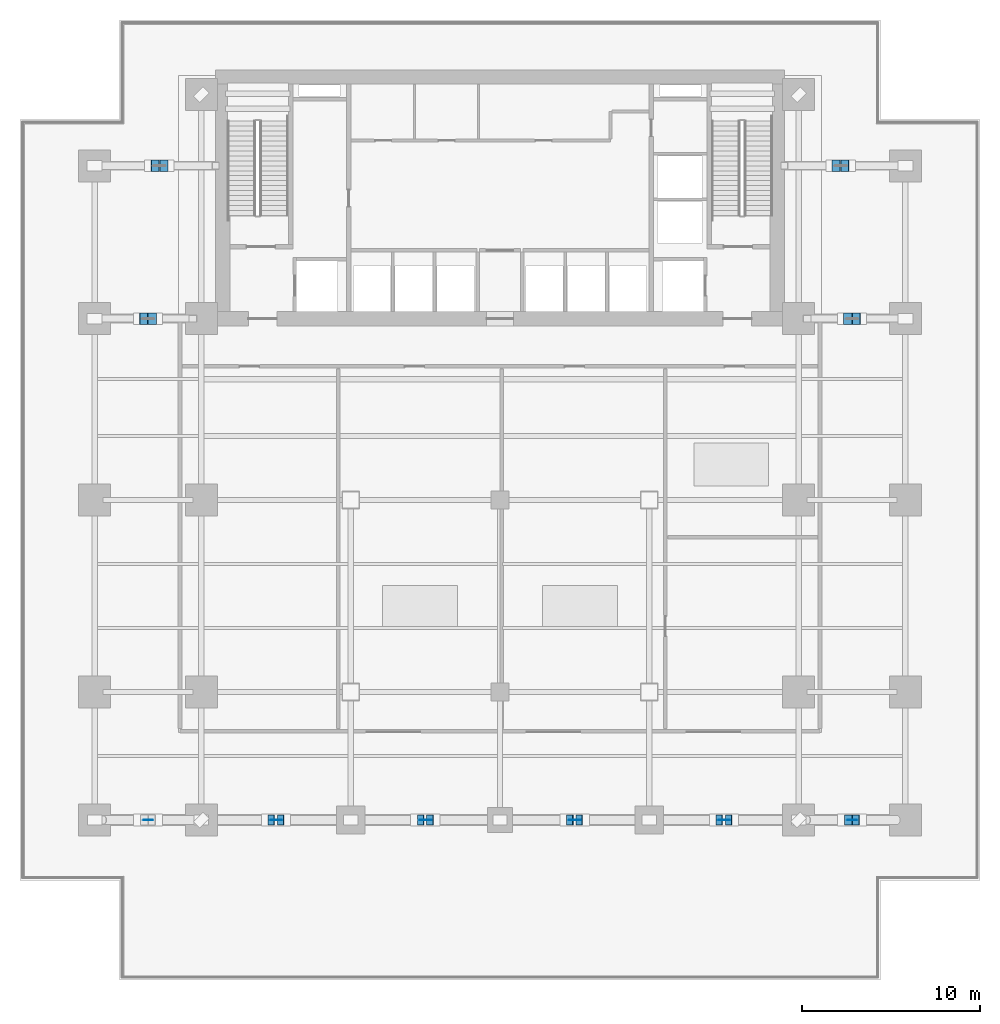
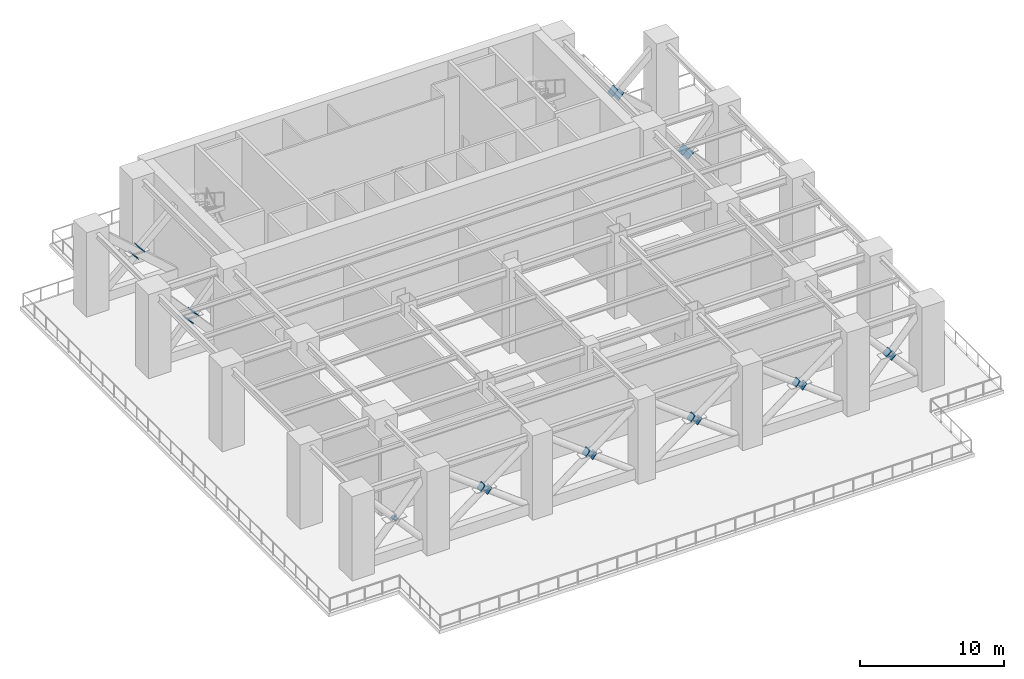
# One storey, part 5 of 10: 24 discrete accessories.
"""IFC4 building model written with IfcOpenShell, lengths in metres."""

from ifc_helpers import new_model, si_unit, direction, frame, origin, origin_2d, place, context, subcontext, project, spatial, rectangle, extrude, source, transform, mapped, material, layer, layer_set, type_object, element, save


model = new_model("IFC4")

# Units and contexts
model_context = context("Model", 3, precision=1e-05, world=origin(), true_north=direction((0.0, 1.0)))
body_context = subcontext(model_context, "Body", "Model", "MODEL_VIEW")
ifc_project = project(units=[si_unit("LENGTHUNIT", "METRE"), si_unit("AREAUNIT", "SQUARE_METRE"), si_unit("VOLUMEUNIT", "CUBIC_METRE"), si_unit("PLANEANGLEUNIT", "RADIAN"), si_unit("MASSUNIT", "GRAM", prefix="KILO")], contexts=[model_context])

# Site, building, storey
site_placement = place(None, origin())
site = spatial("IfcSite", under=ifc_project, at=site_placement, CompositionType="ELEMENT")
building_placement = place(site_placement, origin())
building = spatial("IfcBuilding", under=site, at=building_placement, Name="Sumidabori Civic Tower", CompositionType="ELEMENT")
storey_placement = place(building_placement, frame((0.0, 0.0, 70.39990234375)))
storey = spatial("IfcBuildingStorey", under=building, at=storey_placement, Name="L18", CompositionType="ELEMENT", Elevation=70.39990234375)

# Discrete accessories
ifc_material = material(Name="Steel SN490", Category="steel")
ifc_layer_1 = layer(ifc_material, 0.028076171875, Name="Steel SN490")
ifc_layer_set_1 = layer_set([ifc_layer_1], Name="Steel SN490")
discrete_accessory_type_1 = type_object("IfcDiscreteAccessoryType", Name="AC-CAP-SN490", PredefinedType="USERDEFINED", material=ifc_layer_set_1)
shared_shape_1 = source(origin(), body_context, "Body", "SweptSolid", [
    extrude(rectangle(XDim=0.568115234375, YDim=0.568115234375, at=origin_2d()), origin(), (0.0, 0.0, 1.0), 0.0400390625),
])
for number, where, z_axis, x_axis, name in (
    (1, (-12.8828125, -18.0, 3.73974609375), (0.797802225535, 0.0, -0.602919239145), (0.0, 1.0, 0.0), "Hollow Section End Cap Plate XND-BT-2 Lower"),
    (2, (-4.482666015625, -18.0, 3.73974609375), (0.797802225535, 0.0, -0.602919239145), (0.0, 1.0, 0.0), "Hollow Section End Cap Plate XND-BT-3 Lower"),
    (3, (-3.917236328125, -18.0, 3.310546875), (-0.797802225535, 0.0, 0.602919239145), (0.0, -1.0, 0.0), "Hollow Section End Cap Plate XND-BT-3 Upper"),
    (4, (3.917236328125, -18.0, 3.73974609375), (0.797802225535, 0.0, -0.602919239145), (0.0, 1.0, 0.0), "Hollow Section End Cap Plate XND-BT-4 Lower"),
    (5, (4.482666015625, -18.0, 3.310546875), (-0.797802225535, 0.0, 0.602919239145), (0.0, -1.0, 0.0), "Hollow Section End Cap Plate XND-BT-4 Upper"),
    (6, (12.8828125, -18.0, 3.310546875), (-0.797802225535, 0.0, 0.602919239145), (0.0, -1.0, 0.0), "Hollow Section End Cap Plate XND-BT-5 Upper"),
    (7, (19.59716796875, -18.0, 3.752685546875), (0.663230066188, 0.0, -0.748415579277), (0.0, 1.0, 0.0), "Hollow Section End Cap Plate XND-BT-6 Lower"),
    (8, (20.0029296875, -18.0, 3.297607421875), (-0.666258670845, 0.0, 0.745720714157), (0.0, -1.0, 0.0), "Hollow Section End Cap Plate XND-BT-6 Upper"),
):
    element("IfcDiscreteAccessory", number, at=place(storey_placement, frame(where, z_axis=z_axis, x_axis=x_axis)), inside=storey, type_object=discrete_accessory_type_1, Name=name, ObjectType="End Cap Plate", PredefinedType="USERDEFINED", context=body_context, shape_type="MappedRepresentation", body=[
        mapped(shared_shape_1, transform((0.0, 0.0, 0.0), x_axis=(1.0, 0.0, 0.0), y_axis=(0.0, 1.0, 0.0), z_axis=(0.0, 0.0, 1.0), scale=1.0)),
    ])
ifc_layer_2 = layer(ifc_material, 0.0400390625, Name="Steel SN490")
ifc_layer_set_2 = layer_set([ifc_layer_2], Name="Steel SN490")
discrete_accessory_type_2 = type_object("IfcDiscreteAccessoryType", Name="AC-XND-SN490", PredefinedType="BRACKET", material=ifc_layer_set_2)
shared_shape_2 = source(origin(), body_context, "Body", "SweptSolid", [
    extrude(rectangle(XDim=0.0400390625, YDim=0.320068359375, at=origin_2d()), origin(), (0.0, 0.0, 1.0), 0.563720703125),
])
for number, where, z_axis, x_axis, name in (
    (9, (-19.987548828125, -18.0, 3.7353515625), (0.665680039002, 0.0, -0.746237285101), (0.0, 1.0, 0.0), "X-Brace Crossing Gusset Node XND-BT-1"),
    (10, (19.6123046875, -18.0, 3.7353515625), (0.665680039002, 0.0, -0.746237285101), (0.0, 1.0, 0.0), "X-Brace Crossing Gusset Node XND-BT-6"),
):
    element("IfcDiscreteAccessory", number, at=place(storey_placement, frame(where, z_axis=z_axis, x_axis=x_axis)), inside=storey, type_object=discrete_accessory_type_2, Name=name, PredefinedType="BRACKET", context=body_context, shape_type="MappedRepresentation", body=[
        mapped(shared_shape_2, transform((0.0, 0.0, 0.0), x_axis=(1.0, 0.0, 0.0), y_axis=(0.0, 1.0, 0.0), z_axis=(0.0, 0.0, 1.0), scale=1.0)),
    ])
shared_shape_3 = source(origin(), body_context, "Body", "SweptSolid", [
    extrude(rectangle(XDim=0.568115234375, YDim=0.568115234375, at=origin_2d()), origin(), (0.0, 0.0, 1.0), 0.039794921875),
])
for number, where, z_axis, x_axis, name in (
    (11, (-12.3173828125, -18.0, 3.310546875), (-0.795572181555, 0.0, 0.605858815184), (0.0, -1.0, 0.0), "Hollow Section End Cap Plate XND-BT-2 Upper"),
    (12, (12.3173828125, -18.0, 3.73974609375), (0.795572181555, 0.0, -0.605858815184), (0.0, 1.0, 0.0), "Hollow Section End Cap Plate XND-BT-5 Lower"),
):
    element("IfcDiscreteAccessory", number, at=place(storey_placement, frame(where, z_axis=z_axis, x_axis=x_axis)), inside=storey, type_object=discrete_accessory_type_1, Name=name, ObjectType="End Cap Plate", PredefinedType="USERDEFINED", context=body_context, shape_type="MappedRepresentation", body=[
        mapped(shared_shape_3, transform((0.0, 0.0, 0.0), x_axis=(1.0, 0.0, 0.0), y_axis=(0.0, 1.0, 0.0), z_axis=(0.0, 0.0, 1.0), scale=1.0)),
    ])
shared_shape_4 = source(origin(), body_context, "Body", "SweptSolid", [
    extrude(rectangle(XDim=0.0400390625, YDim=0.320068359375, at=origin_2d()), origin(), (0.0, 0.0, 1.0), 0.663818359375),
])
for number, where, z_axis, x_axis, name in (
    (13, (-12.864501953125, -18.0, 3.725830078125), (0.796544702908, 0.0, -0.604579636002), (0.0, 1.0, 0.0), "X-Brace Crossing Gusset Node XND-BT-2"),
    (14, (-4.46435546875, -18.0, 3.725830078125), (0.796544702908, 0.0, -0.604579636002), (0.0, 1.0, 0.0), "X-Brace Crossing Gusset Node XND-BT-3"),
    (15, (3.935546875, -18.0, 3.725830078125), (0.796544702908, 0.0, -0.604579636002), (0.0, 1.0, 0.0), "X-Brace Crossing Gusset Node XND-BT-4"),
    (16, (12.335693359375, -18.0, 3.725830078125), (0.796544702908, 0.0, -0.604579636002), (0.0, 1.0, 0.0), "X-Brace Crossing Gusset Node XND-BT-5"),
):
    element("IfcDiscreteAccessory", number, at=place(storey_placement, frame(where, z_axis=z_axis, x_axis=x_axis)), inside=storey, type_object=discrete_accessory_type_2, Name=name, PredefinedType="BRACKET", context=body_context, shape_type="MappedRepresentation", body=[
        mapped(shared_shape_4, transform((0.0, 0.0, 0.0), x_axis=(1.0, 0.0, 0.0), y_axis=(0.0, 1.0, 0.0), z_axis=(0.0, 0.0, 1.0), scale=1.0)),
    ])
shared_shape_5 = source(origin(), body_context, "Body", "SweptSolid", [
    extrude(rectangle(XDim=0.659912109375, YDim=0.659912109375, at=origin_2d()), origin(), (0.0, 0.0, 1.0), 0.0400390625),
])
for number, where, z_axis, x_axis, name in (
    (17, (-19.562744140625, 10.199951171875, 3.791015625), (-0.666258670845, 0.0, -0.745720714157), (0.0, -1.0, 0.0), "Hollow Section End Cap Plate XND-OT-W1 Lower"),
    (18, (-20.037109375, 10.199951171875, 3.259033203125), (0.663230066188, 0.0, 0.748415579277), (0.0, 1.0, 0.0), "Hollow Section End Cap Plate XND-OT-W1 Upper"),
    (19, (-18.894775390625, 18.800048828125, 3.76220703125), (-0.748415579277, 0.0, -0.663230066188), (0.0, -1.0, 0.0), "Hollow Section End Cap Plate XND-OT-W2 Lower"),
    (20, (-19.42529296875, 18.800048828125, 3.2880859375), (0.748415579277, 0.0, 0.663230066188), (0.0, 1.0, 0.0), "Hollow Section End Cap Plate XND-OT-W2 Upper"),
    (21, (19.562744140625, 10.199951171875, 3.791015625), (0.666258670845, 0.0, -0.745720714157), (0.0, 1.0, 0.0), "Hollow Section End Cap Plate XND-OT-E1 Lower"),
    (22, (20.037109375, 10.199951171875, 3.259033203125), (-0.663230066188, 0.0, 0.748415579277), (0.0, -1.0, 0.0), "Hollow Section End Cap Plate XND-OT-E1 Upper"),
    (23, (18.894775390625, 18.800048828125, 3.76220703125), (0.748415579277, 0.0, -0.663230066188), (0.0, 1.0, 0.0), "Hollow Section End Cap Plate XND-OT-E2 Lower"),
    (24, (19.42529296875, 18.800048828125, 3.2880859375), (-0.748415579277, 0.0, 0.663230066188), (0.0, -1.0, 0.0), "Hollow Section End Cap Plate XND-OT-E2 Upper"),
):
    element("IfcDiscreteAccessory", number, at=place(storey_placement, frame(where, z_axis=z_axis, x_axis=x_axis)), inside=storey, type_object=discrete_accessory_type_1, Name=name, ObjectType="End Cap Plate", PredefinedType="USERDEFINED", context=body_context, shape_type="MappedRepresentation", body=[
        mapped(shared_shape_5, transform((0.0, 0.0, 0.0), x_axis=(1.0, 0.0, 0.0), y_axis=(0.0, 1.0, 0.0), z_axis=(0.0, 0.0, 1.0), scale=1.0)),
    ])

save(model, "model.ifc")
